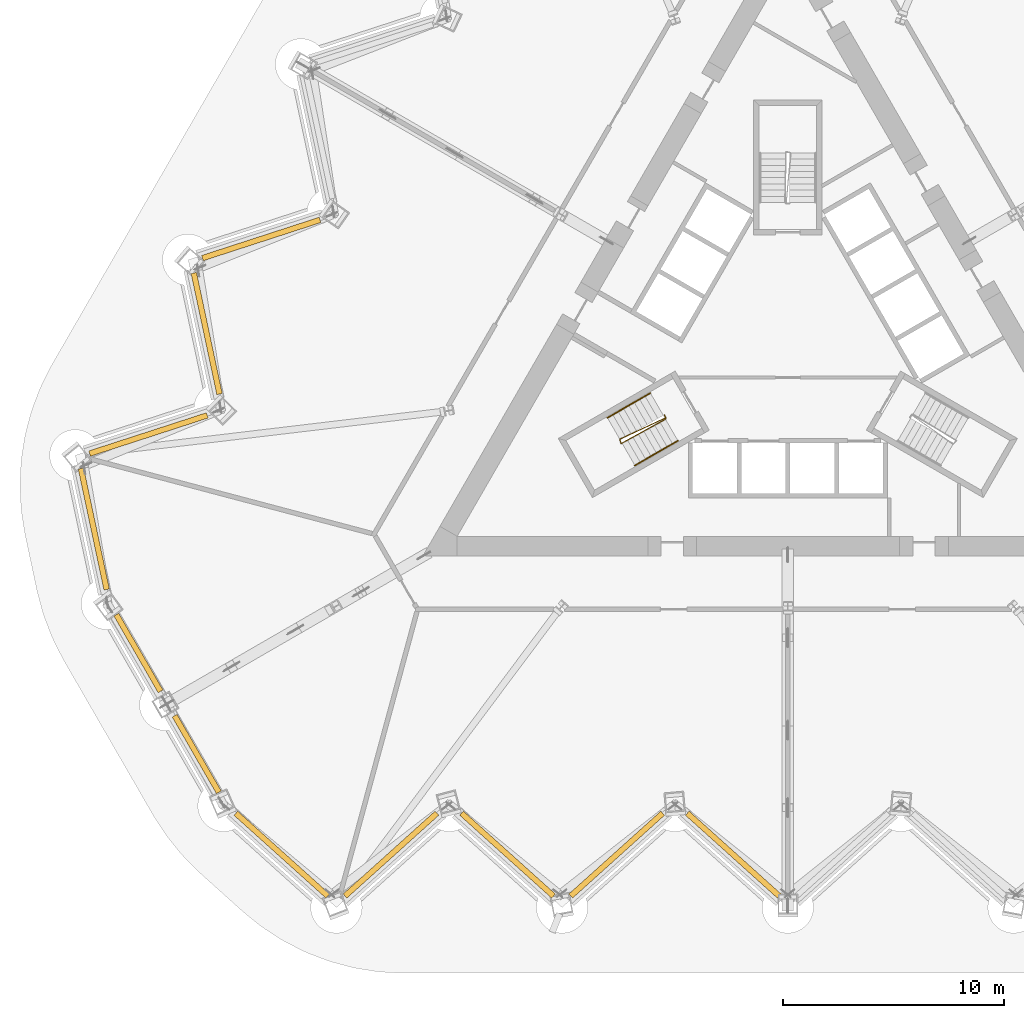
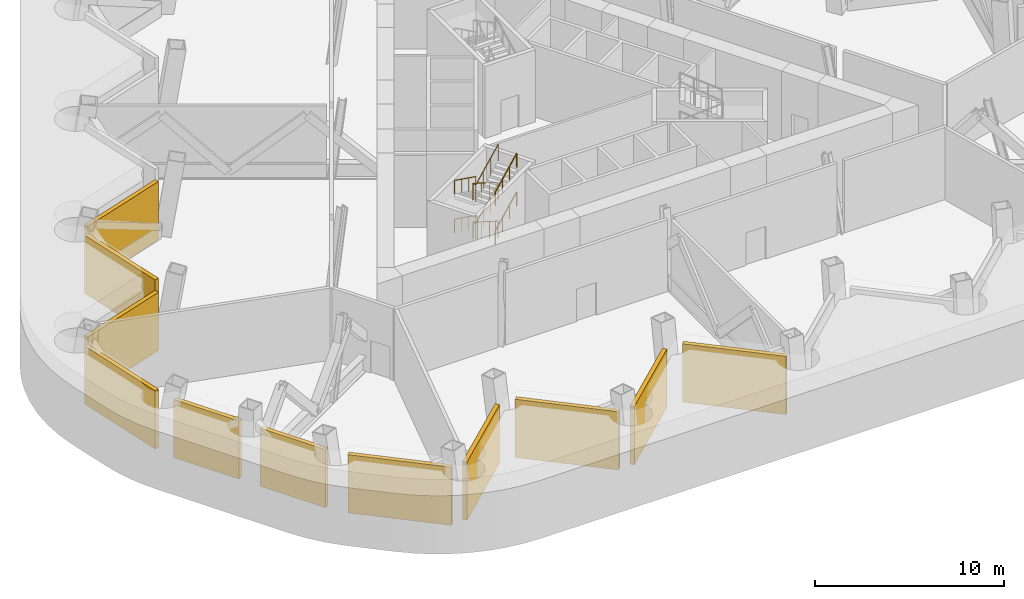
# One storey, part 12 of 13: 11 shading devices, 5 railings.
"""IFC4 building model written with IfcOpenShell, lengths in metres."""

from ifc_helpers import new_model, si_unit, direction, frame, origin, origin_2d, place, context, subcontext, project, spatial, rectangle, circle, extrude, material, layer, layer_set, type_object, element, save


model = new_model("IFC4")

# Units and contexts
model_context = context("Model", 3, precision=1e-05, world=origin(), true_north=direction((0.0, 1.0)))
body_context = subcontext(model_context, "Body", "Model", "MODEL_VIEW")
ifc_project = project(units=[si_unit("LENGTHUNIT", "METRE"), si_unit("AREAUNIT", "SQUARE_METRE"), si_unit("VOLUMEUNIT", "CUBIC_METRE"), si_unit("PLANEANGLEUNIT", "RADIAN"), si_unit("MASSUNIT", "GRAM", prefix="KILO")], contexts=[model_context])

# Site, building, storey
site_placement = place(None, origin())
site = spatial("IfcSite", under=ifc_project, at=site_placement, CompositionType="ELEMENT")
building_placement = place(site_placement, origin())
building = spatial("IfcBuilding", under=site, at=building_placement, Name="Cormorant Prow Tower", CompositionType="ELEMENT")
storey_placement = place(building_placement, frame((0.0, 0.0, 164.199951171875)))
storey = spatial("IfcBuildingStorey", under=building, at=storey_placement, Name="L34", CompositionType="ELEMENT", Elevation=164.199951171875)

# Shading devices
ifc_material_1 = material(Name="Aluminium 6063-T6", Category="aluminium")
ifc_layer_1 = layer(ifc_material_1, 0.25)
ifc_layer_set_1 = layer_set([ifc_layer_1], Name="Aluminium 6063-T6")
shading_device_type_1 = type_object("IfcShadingDeviceType", Name="Plant storey louvre panel 3998x250x3750", PredefinedType="USERDEFINED", material=ifc_layer_set_1)
for number, where, z_axis, x_axis, name in (
    (1, (-29.34375, -13.899169921875, 0.0), (0.0, 0.0, 1.0), (0.500000035278, -0.866025383416, 0.0), "Plant storey louvre WSW00"),
    (2, (-26.708740234375, -18.462890625, 0.0), (0.0, 0.0, 1.0), (0.500000035278, -0.866025383416, 0.0), "Plant storey louvre WSW01"),
):
    element("IfcShadingDevice", number, at=place(storey_placement, frame(where, z_axis=z_axis, x_axis=x_axis)), inside=storey, type_object=shading_device_type_1, Name=name, ObjectType="LOUVRE", PredefinedType="USERDEFINED", context=body_context, shape_type="SweptSolid", body=[
        extrude(rectangle(XDim=3.99755859375, YDim=0.25, at=origin_2d()), origin(), (0.0, 0.0, 1.0), 3.75),
    ])
ifc_material_2 = material(Name="Aluminium 6063-T6", Category="aluminium")
ifc_layer_2 = layer(ifc_material_2, 0.25)
ifc_layer_set_2 = layer_set([ifc_layer_2], Name="Aluminium 6063-T6")
shading_device_type_2 = type_object("IfcShadingDeviceType", Name="Plant storey louvre panel 5591x250x3750", PredefinedType="USERDEFINED", material=ifc_layer_set_2)
for number, where, z_axis, x_axis, name in (
    (3, (-22.865966796875, -23.01025390625, 0.0), (0.0, 0.0, 1.0), (0.743144811043, -0.66913062239, 0.0), "Plant storey louvre S00"),
    (4, (-17.933349609375, -23.01025390625, 0.0), (0.0, 0.0, 1.0), (0.743144811043, 0.66913062239, 0.0), "Plant storey louvre S01"),
    (5, (-12.666259765625, -23.01025390625, 0.0), (0.0, 0.0, 1.0), (0.743144811043, -0.66913062239, 0.0), "Plant storey louvre S02"),
    (6, (-7.733642578125, -23.01025390625, 0.0), (0.0, 0.0, 1.0), (0.743144811043, 0.66913062239, 0.0), "Plant storey louvre S03"),
    (7, (-2.46630859375, -23.01025390625, 0.0), (0.0, 0.0, 1.0), (0.743144811043, -0.66913062239, 0.0), "Plant storey louvre S04"),
    (8, (-23.794189453125, 4.8076171875, 0.0), (0.0, 0.0, 1.0), (-0.951056496016, -0.309017056787, 0.0), "Plant storey louvre WNW06"),
    (9, (-26.260498046875, 0.535888671875, 0.0), (0.0, 0.0, 1.0), (0.207911724944, -0.97814759348, 0.0), "Plant storey louvre WNW07"),
    (10, (-28.894287109375, -4.025634765625, 0.0), (0.0, 0.0, 1.0), (-0.951056538839, -0.309016924991, 0.0), "Plant storey louvre WNW08"),
    (11, (-31.360595703125, -8.297607421875, 0.0), (0.0, 0.0, 1.0), (0.207911695308, -0.978147599779, 0.0), "Plant storey louvre WNW09"),
):
    element("IfcShadingDevice", number, at=place(storey_placement, frame(where, z_axis=z_axis, x_axis=x_axis)), inside=storey, type_object=shading_device_type_2, Name=name, ObjectType="LOUVRE", PredefinedType="USERDEFINED", context=body_context, shape_type="SweptSolid", body=[
        extrude(rectangle(XDim=5.590576171875, YDim=0.25, at=origin_2d()), origin(), (0.0, 0.0, 1.0), 3.75),
    ])

# Railings
ifc_material_3 = material(Name="Stainless steel", Category="steel")
railing_type_1 = type_object("IfcRailingType", Name="Stair guard 1100", PredefinedType="GUARDRAIL", material=ifc_material_3)
railing_1_placement = place(storey_placement, frame((-5.585205078125, -3.137939453125, 0.0)))
element("IfcRailing", 12, at=railing_1_placement, inside=storey, type_object=railing_type_1, Name="L34 ST1 stair guard 1", PredefinedType="GUARDRAIL", context=body_context, shape_type="SweptSolid", body=[
    extrude(circle(Radius=0.02392578125, at=origin_2d()), frame((0.0, 0.0, 1.076171875), z_axis=(0.501036270542, -0.865426285481, 0.0), x_axis=(0.865426285481, 0.501036270542, 0.0)), (0.0, 0.0, 1.0), 0.150146484375),
    extrude(circle(Radius=0.02392578125, at=origin_2d()), frame((0.0751953125, -0.1298828125, 1.076171875), z_axis=(-0.796139674623, -0.37143232681, 0.477702465026), x_axis=(0.422792438952, -0.906226546491, 0.0)), (0.0, 0.0, 1.0), 2.61669921875),
    extrude(circle(Radius=0.02392578125, at=origin_2d()), frame((-2.008056640625, -1.101806640625, 2.326171875), z_axis=(0.275034262293, -0.961434425515, 0.0), x_axis=(0.961434425515, 0.275034262293, 0.0)), (0.0, 0.0, 1.0), 0.2060546875),
    extrude(circle(Radius=0.02392578125, at=origin_2d()), frame((-1.951416015625, -1.2998046875, 2.326171875), z_axis=(0.76962706216, 0.422144092447, 0.479028757386), x_axis=(-0.480911908544, 0.87676891837, 0.0)), (0.0, 0.0, 1.0), 2.609375),
    extrude(circle(Radius=0.02392578125, at=origin_2d()), frame((0.056884765625, -0.1982421875, 3.576171875), z_axis=(0.258736085224, 0.965948051503, 0.0), x_axis=(-0.965948051503, 0.258736085224, 0.0)), (0.0, 0.0, 1.0), 0.07080078125),
    extrude(circle(Radius=0.02392578125, at=origin_2d()), frame((0.0751953125, -0.1298828125, 3.576171875), z_axis=(-0.796139674623, -0.37143232681, 0.477702465026), x_axis=(0.422792438952, -0.906226546491, 0.0)), (0.0, 0.0, 1.0), 2.61669921875),
    extrude(circle(Radius=0.02392578125, at=origin_2d()), frame((-2.008056640625, -1.101806640625, 4.826171875), z_axis=(0.275034262293, -0.961434425515, 0.0), x_axis=(0.961434425515, 0.275034262293, 0.0)), (0.0, 0.0, 1.0), 0.2060546875),
    extrude(circle(Radius=0.02392578125, at=origin_2d()), frame((-1.951416015625, -1.2998046875, 4.826171875), z_axis=(0.76962706216, 0.422144092447, 0.479028757386), x_axis=(-0.480911908544, 0.87676891837, 0.0)), (0.0, 0.0, 1.0), 2.609375),
    extrude(circle(Radius=0.02099609375, at=origin_2d()), origin(), (0.0, 0.0, 1.0), 1.052001953125),
    extrude(circle(Radius=0.02099609375, at=origin_2d()), frame((0.0751953125, -0.1298828125, 0.0)), (0.0, 0.0, 1.0), 1.052001953125),
    extrude(circle(Radius=0.02099609375, at=origin_2d()), frame((-0.619140625, -0.453857421875, 0.416748046875)), (0.0, 0.0, 1.0), 1.052001953125),
    extrude(circle(Radius=0.02099609375, at=origin_2d()), frame((-1.313720703125, -0.77783203125, 0.833251953125)), (0.0, 0.0, 1.0), 1.052001953125),
    extrude(circle(Radius=0.02099609375, at=origin_2d()), frame((-2.008056640625, -1.101806640625, 1.25)), (0.0, 0.0, 1.0), 1.052001953125),
    extrude(circle(Radius=0.02099609375, at=origin_2d()), frame((-1.951416015625, -1.2998046875, 1.25)), (0.0, 0.0, 1.0), 1.052001953125),
    extrude(circle(Radius=0.02099609375, at=origin_2d()), frame((-1.281982421875, -0.9326171875, 1.666748046875)), (0.0, 0.0, 1.0), 1.052001953125),
    extrude(circle(Radius=0.02099609375, at=origin_2d()), frame((-0.612548828125, -0.5654296875, 2.083251953125)), (0.0, 0.0, 1.0), 1.052001953125),
    extrude(circle(Radius=0.02099609375, at=origin_2d()), frame((0.056884765625, -0.1982421875, 2.5)), (0.0, 0.0, 1.0), 1.052001953125),
    extrude(circle(Radius=0.02099609375, at=origin_2d()), frame((0.0751953125, -0.1298828125, 2.5)), (0.0, 0.0, 1.0), 1.052001953125),
    extrude(circle(Radius=0.02099609375, at=origin_2d()), frame((-0.619140625, -0.453857421875, 2.916748046875)), (0.0, 0.0, 1.0), 1.052001953125),
    extrude(circle(Radius=0.02099609375, at=origin_2d()), frame((-1.313720703125, -0.77783203125, 3.333251953125)), (0.0, 0.0, 1.0), 1.052001953125),
    extrude(circle(Radius=0.02099609375, at=origin_2d()), frame((-2.008056640625, -1.101806640625, 3.75)), (0.0, 0.0, 1.0), 1.052001953125),
    extrude(circle(Radius=0.02099609375, at=origin_2d()), frame((-1.951416015625, -1.2998046875, 3.75)), (0.0, 0.0, 1.0), 1.052001953125),
    extrude(circle(Radius=0.02099609375, at=origin_2d()), frame((-1.281982421875, -0.9326171875, 4.166748046875)), (0.0, 0.0, 1.0), 1.052001953125),
    extrude(circle(Radius=0.02099609375, at=origin_2d()), frame((-0.612548828125, -0.5654296875, 4.583251953125)), (0.0, 0.0, 1.0), 1.052001953125),
    extrude(circle(Radius=0.02099609375, at=origin_2d()), frame((0.056884765625, -0.1982421875, 5.0)), (0.0, 0.0, 1.0), 1.052001953125),
])
ifc_material_4 = material(Name="Stainless steel", Category="steel")
railing_type_2 = type_object("IfcRailingType", Name="Stair handrail 900", PredefinedType="HANDRAIL", material=ifc_material_4)
railing_2_placement = place(storey_placement, frame((-6.212890625, -2.150634765625, 0.138916015625)))
element("IfcRailing", 13, at=railing_2_placement, inside=storey, type_object=railing_type_2, Name="L34 ST1 stair handrail 1", PredefinedType="HANDRAIL", context=body_context, shape_type="SweptSolid", body=[
    extrude(circle(Radius=0.02392578125, at=origin_2d()), frame((0.0, 0.0, 0.8759765625), z_axis=(-0.775852689126, -0.447877710172, 0.44436264639), x_axis=(0.49994888933, -0.866054910533, 0.0)), (0.0, 0.0, 1.0), 2.50048828125),
    extrude(circle(Radius=0.02099609375, at=origin_2d()), origin(), (0.0, 0.0, 1.0), 0.851806640625),
    extrude(circle(Radius=0.02099609375, at=origin_2d()), frame((-0.646728515625, -0.373291015625, 0.370361328125)), (0.0, 0.0, 1.0), 0.851806640625),
    extrude(circle(Radius=0.02099609375, at=origin_2d()), frame((-1.293212890625, -0.74658203125, 0.74072265625)), (0.0, 0.0, 1.0), 0.851806640625),
    extrude(circle(Radius=0.02099609375, at=origin_2d()), frame((-1.93994140625, -1.119873046875, 1.111083984375)), (0.0, 0.0, 1.0), 0.851806640625),
])
railing_3_placement = place(storey_placement, frame((-6.90869140625, -5.42529296875, 1.388916015625)))
element("IfcRailing", 14, at=railing_3_placement, inside=storey, type_object=railing_type_2, Name="L34 ST1 stair handrail 2", PredefinedType="HANDRAIL", context=body_context, shape_type="SweptSolid", body=[
    extrude(circle(Radius=0.02392578125, at=origin_2d()), frame((0.0, 0.0, 0.8759765625), z_axis=(0.775779884805, 0.447989693075, 0.44437687297), x_axis=(-0.500077830873, 0.865980463445, 0.0)), (0.0, 0.0, 1.0), 2.500244140625),
    extrude(circle(Radius=0.02099609375, at=origin_2d()), origin(), (0.0, 0.0, 1.0), 0.851806640625),
    extrude(circle(Radius=0.02099609375, at=origin_2d()), frame((0.646484375, 0.373291015625, 0.370361328125)), (0.0, 0.0, 1.0), 0.851806640625),
    extrude(circle(Radius=0.02099609375, at=origin_2d()), frame((1.293212890625, 0.746826171875, 0.74072265625)), (0.0, 0.0, 1.0), 0.851806640625),
    extrude(circle(Radius=0.02099609375, at=origin_2d()), frame((1.939697265625, 1.1201171875, 1.111083984375)), (0.0, 0.0, 1.0), 0.851806640625),
])
railing_4_placement = place(storey_placement, frame((-6.212890625, -2.150634765625, 2.638916015625)))
element("IfcRailing", 15, at=railing_4_placement, inside=storey, type_object=railing_type_2, Name="L34 ST1 stair handrail 3", PredefinedType="HANDRAIL", context=body_context, shape_type="SweptSolid", body=[
    extrude(circle(Radius=0.02392578125, at=origin_2d()), frame((0.0, 0.0, 0.8759765625), z_axis=(-0.775852689126, -0.447877710172, 0.44436264639), x_axis=(0.49994888933, -0.866054910533, 0.0)), (0.0, 0.0, 1.0), 2.50048828125),
    extrude(circle(Radius=0.02099609375, at=origin_2d()), origin(), (0.0, 0.0, 1.0), 0.851806640625),
    extrude(circle(Radius=0.02099609375, at=origin_2d()), frame((-0.646728515625, -0.373291015625, 0.370361328125)), (0.0, 0.0, 1.0), 0.851806640625),
    extrude(circle(Radius=0.02099609375, at=origin_2d()), frame((-1.293212890625, -0.74658203125, 0.74072265625)), (0.0, 0.0, 1.0), 0.851806640625),
    extrude(circle(Radius=0.02099609375, at=origin_2d()), frame((-1.93994140625, -1.119873046875, 1.111083984375)), (0.0, 0.0, 1.0), 0.851806640625),
])
railing_5_placement = place(storey_placement, frame((-6.90869140625, -5.42529296875, 3.888916015625)))
element("IfcRailing", 16, at=railing_5_placement, inside=storey, type_object=railing_type_2, Name="L34 ST1 stair handrail 4", PredefinedType="HANDRAIL", context=body_context, shape_type="SweptSolid", body=[
    extrude(circle(Radius=0.02392578125, at=origin_2d()), frame((0.0, 0.0, 0.8759765625), z_axis=(0.775779884805, 0.447989693075, 0.44437687297), x_axis=(-0.500077830873, 0.865980463445, 0.0)), (0.0, 0.0, 1.0), 2.500244140625),
    extrude(circle(Radius=0.02099609375, at=origin_2d()), origin(), (0.0, 0.0, 1.0), 0.851806640625),
    extrude(circle(Radius=0.02099609375, at=origin_2d()), frame((0.646484375, 0.373291015625, 0.370361328125)), (0.0, 0.0, 1.0), 0.851806640625),
    extrude(circle(Radius=0.02099609375, at=origin_2d()), frame((1.293212890625, 0.746826171875, 0.74072265625)), (0.0, 0.0, 1.0), 0.851806640625),
    extrude(circle(Radius=0.02099609375, at=origin_2d()), frame((1.939697265625, 1.1201171875, 1.111083984375)), (0.0, 0.0, 1.0), 0.851806640625),
])

save(model, "model.ifc")
